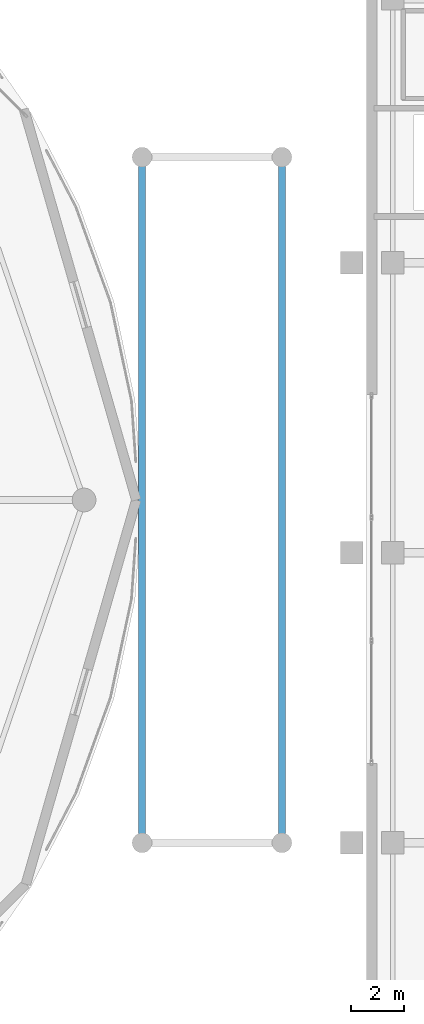
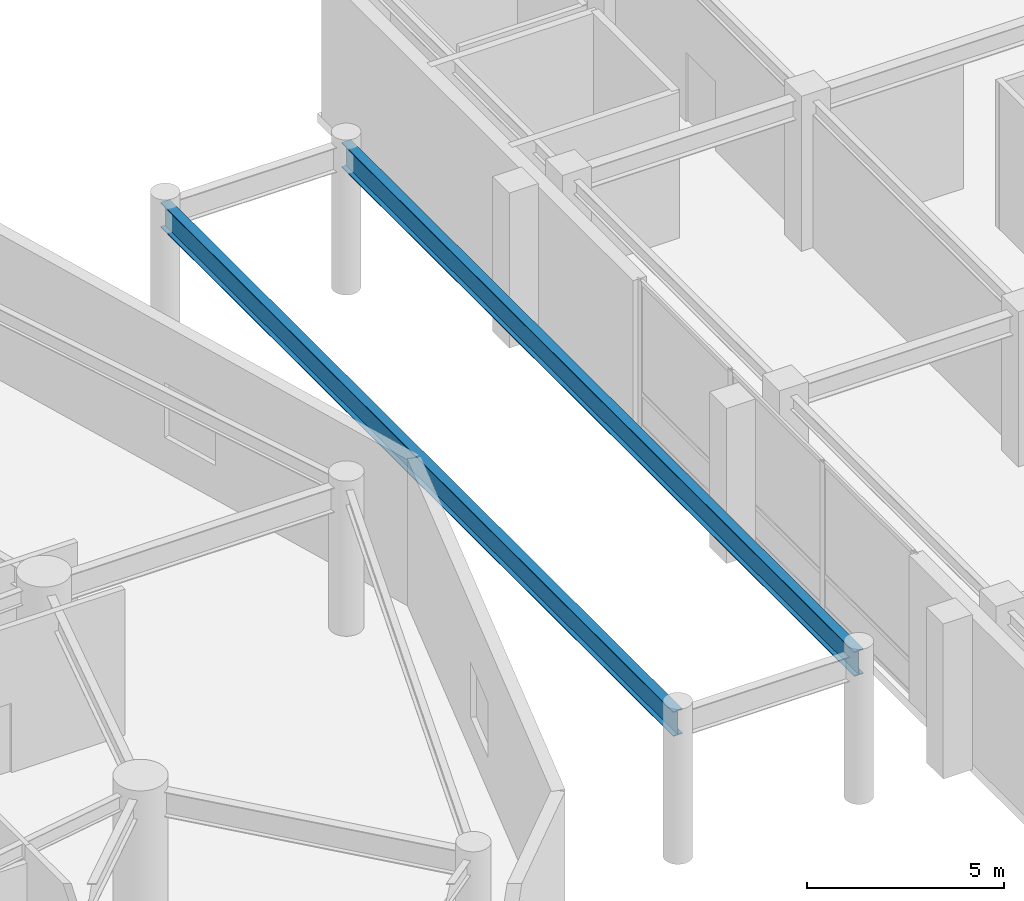
# One storey, part 17 of 40: 2 beams.
"""IFC4 building model written with IfcOpenShell, lengths in metres."""

import ifcopenshell
import ifcopenshell.guid

model = None  # the IFC model being written
_history = None  # IfcOwnerHistory: only IFC2X3 demands one
_inside = {}  # id of a spatial element -> (the spatial element, [elements in it])
_under = {}  # id of a project, library or spatial element -> (it, [spatial elements below it])
_declared = {}  # id of a project -> (the project, [libraries it declares])
_typed = {}  # id of a type object -> (the type object, [elements of that type])
_made_of = {}  # id of a material, layer set ... -> (it, [elements and type objects made of it])


def new_model(schema):
    """Start an empty IFC model of exactly this schema.

    Asked for "IFC4X3", IfcOpenShell would pick the latest addendum, in which some entities
    have other attributes; the version numbers below select the first issue.
    IFC2X3 requires an IfcOwnerHistory on every rooted entity: one is made here for all.
    """
    global model, _history
    if schema == "IFC4X3":
        model = ifcopenshell.file(schema_version=(4, 3, 0, 0))
    else:
        model = ifcopenshell.file(schema=schema)
    _inside.clear()
    _under.clear()
    _declared.clear()
    _typed.clear()
    _made_of.clear()
    _history = None
    if model.schema == "IFC2X3":
        org = make("IfcOrganization", Name="unknown")
        user = make(
            "IfcPersonAndOrganization",
            ThePerson=make("IfcPerson", FamilyName="unknown"),
            TheOrganization=org,
        )
        app = make(
            "IfcApplication",
            ApplicationDeveloper=org,
            Version="unknown",
            ApplicationFullName="unknown",
            ApplicationIdentifier="unknown",
        )
        _history = make(
            "IfcOwnerHistory",
            OwningUser=user,
            OwningApplication=app,
            ChangeAction="ADDED",
            CreationDate=0,
        )
    return model


def make(cls, **values):
    """One entity of the class cls with the attributes given. An attribute that is None is left unset."""
    return model.create_entity(
        cls, **{name: value for name, value in values.items() if value is not None}
    )


def rooted(cls, **values):
    """An entity with a GlobalId (a new one), such as an element, a storey or a relation."""
    return make(cls, GlobalId=ifcopenshell.guid.new(), OwnerHistory=_history, **values)


def si_unit(unit_type, name, prefix=None):
    """IfcSIUnit, for example si_unit("LENGTHUNIT", "METRE", prefix="MILLI")."""
    return make("IfcSIUnit", UnitType=unit_type, Prefix=prefix, Name=name)


def assignment(units):
    """IfcUnitAssignment: the units of a project."""
    return None if units is None else make("IfcUnitAssignment", Units=units)


def point(xyz):
    """IfcCartesianPoint."""
    return None if xyz is None else make("IfcCartesianPoint", Coordinates=xyz)


def direction(xyz):
    """IfcDirection."""
    return None if xyz is None else make("IfcDirection", DirectionRatios=xyz)


def frame(location, z_axis=None, x_axis=None):
    """IfcAxis2Placement3D, a coordinate frame: its origin and axes. An axis left out is left unset."""
    return make(
        "IfcAxis2Placement3D",
        Location=point(location),
        Axis=direction(z_axis),
        RefDirection=direction(x_axis),
    )


def frame_2d(location, x_axis=None):
    """IfcAxis2Placement2D, a coordinate frame in the plane: its origin and x axis."""
    return make(
        "IfcAxis2Placement2D", Location=point(location), RefDirection=direction(x_axis)
    )


def origin():
    """The frame at (0, 0, 0) with its axes left unset."""
    return frame((0.0, 0.0, 0.0))


def origin_2d():
    """The frame at (0, 0) in the plane with its x axis left unset."""
    return frame_2d((0.0, 0.0))


def place(relative_to, where):
    """IfcLocalPlacement: puts the frame where relative to a parent placement (None: the world)."""
    return make(
        "IfcLocalPlacement", PlacementRelTo=relative_to, RelativePlacement=where
    )


def context(
    kind, dimensions, precision=None, world=None, true_north=None, identifier=None
):
    """IfcGeometricRepresentationContext, for example the 3D "Model" context."""
    return make(
        "IfcGeometricRepresentationContext",
        ContextIdentifier=identifier,
        ContextType=kind,
        CoordinateSpaceDimension=dimensions,
        Precision=precision,
        WorldCoordinateSystem=world,
        TrueNorth=true_north,
    )


def subcontext(parent, identifier, kind, view, scale=None):
    """IfcGeometricRepresentationSubContext, for example "Body" below "Model"."""
    return make(
        "IfcGeometricRepresentationSubContext",
        ContextIdentifier=identifier,
        ContextType=kind,
        ParentContext=parent,
        TargetScale=scale,
        TargetView=view,
    )


def project(units=None, contexts=None):
    """IfcProject with its units and contexts."""
    return rooted(
        "IfcProject",
        Name="project",
        RepresentationContexts=contexts,
        UnitsInContext=assignment(units),
    )


def spatial(cls, under=None, at=None, **own):
    """A site, building, storey or space (cls), placed at a placement, below another one or the project."""
    s = rooted(cls, ObjectPlacement=at, **own)
    if under is not None:
        _under.setdefault(under.id(), (under, []))[1].append(s)
    return s


def profile(cls, at=None, kind="AREA", **sizes):
    """A parametric profile (cls). Its sizes go by their IFC names, for example OverallWidth=200.0."""
    return make(cls, ProfileType=kind, Position=at, **sizes)


def i_section(**sizes):
    """IfcIShapeProfileDef."""
    return profile("IfcIShapeProfileDef", **sizes)


def extrude(swept, where, along, depth):
    """IfcExtrudedAreaSolid: the profile swept, set in the frame where, extruded along a direction by depth."""
    return make(
        "IfcExtrudedAreaSolid",
        SweptArea=swept,
        Position=where,
        ExtrudedDirection=direction(along),
        Depth=depth,
    )


def shape(context_of_items, identifier, shape_type, items):
    """IfcShapeRepresentation: the items that make up one representation, for example the "Body"."""
    return make(
        "IfcShapeRepresentation",
        ContextOfItems=context_of_items,
        RepresentationIdentifier=identifier,
        RepresentationType=shape_type,
        Items=items,
    )


def material(Name=None, Category=None):
    """IfcMaterial."""
    return make("IfcMaterial", Name=Name, Category=Category)


def material_profile(
    of_material, cross_section, Name=None, Category=None, Priority=None
):
    """IfcMaterialProfile: a cross section and its material."""
    return make(
        "IfcMaterialProfile",
        Name=Name,
        Material=of_material,
        Profile=cross_section,
        Priority=Priority,
        Category=Category,
    )


def profile_set(profiles, Name=None, composite=None):
    """IfcMaterialProfileSet."""
    return make(
        "IfcMaterialProfileSet",
        Name=Name,
        MaterialProfiles=profiles,
        CompositeProfile=composite,
    )


def made_of(thing, what):
    """Note that an element or type object is made of a material, layer set ...; save() writes the relation."""
    if what is not None:
        _made_of.setdefault(what.id(), (what, []))[1].append(thing)
    return thing


def type_object(cls, material=None, **own):
    """A type object (cls), such as IfcWallType, which elements share."""
    return made_of(rooted(cls, **own), material)


def element(
    cls,
    number,
    at=None,
    inside=None,
    cuts=None,
    type_object=None,
    material=None,
    context=None,
    identifier="Body",
    shape_type=None,
    held_by="IfcProductDefinitionShape",
    body=None,
    shapes=None,
    **own,
):
    """One element of the class cls, such as IfcWall. Its Tag is "e" and its number.

    at: its placement. inside: the storey or other place that contains it. cuts: it is an
    opening in that element (IfcRelVoidsElement). A single representation is given by context,
    identifier, shape_type and body (its items); several are given by shapes. held_by: the class
    of the entity that holds the representations. save() writes the other relations.
    """
    e = rooted(cls, Tag="e%d" % number, ObjectPlacement=at, **own)
    if body is not None:
        shapes = [shape(context, identifier, shape_type, body)]
    if shapes is not None:
        e.Representation = make(held_by, Representations=shapes)
    if inside is not None:
        _inside.setdefault(inside.id(), (inside, []))[1].append(e)
    if cuts is not None:
        rooted(
            "IfcRelVoidsElement", RelatingBuildingElement=cuts, RelatedOpeningElement=e
        )
    if type_object is not None:
        _typed.setdefault(type_object.id(), (type_object, []))[1].append(e)
    return made_of(e, material)


def aggregate(whole, parts):
    """IfcRelAggregates: a whole, such as a stair, and the parts it consists of."""
    return rooted("IfcRelAggregates", RelatingObject=whole, RelatedObjects=parts)


def save(model, path):
    """Write the relations noted so far, then the file.

    IfcRelAggregates (storeys below a building ...), IfcRelContainedInSpatialStructure (elements
    in a storey), IfcRelDefinesByType, IfcRelAssociatesMaterial and IfcRelDeclares: one each for
    every whole, place, type object, material and project.
    """
    for whole, parts in _under.values():
        aggregate(whole, parts)
    for where, things in _inside.values():
        rooted(
            "IfcRelContainedInSpatialStructure",
            RelatedElements=things,
            RelatingStructure=where,
        )
    for kind, things in _typed.values():
        rooted("IfcRelDefinesByType", RelatedObjects=things, RelatingType=kind)
    for what, things in _made_of.values():
        rooted("IfcRelAssociatesMaterial", RelatedObjects=things, RelatingMaterial=what)
    for by, libraries in _declared.values():
        rooted("IfcRelDeclares", RelatingContext=by, RelatedDefinitions=libraries)
    model.write(path)


model = new_model("IFC4")

# Units and contexts
model_context = context("Model", 3, precision=1e-05, world=origin(), true_north=direction((0.0, 1.0)))
body_context = subcontext(model_context, "Body", "Model", "MODEL_VIEW")
ifc_project = project(units=[si_unit("LENGTHUNIT", "METRE"), si_unit("AREAUNIT", "SQUARE_METRE"), si_unit("VOLUMEUNIT", "CUBIC_METRE"), si_unit("PLANEANGLEUNIT", "RADIAN"), si_unit("MASSUNIT", "GRAM", prefix="KILO")], contexts=[model_context])

# Site, building, storey
site_placement = place(None, origin())
site = spatial("IfcSite", under=ifc_project, at=site_placement, CompositionType="ELEMENT")
building_placement = place(site_placement, origin())
building = spatial("IfcBuilding", under=site, at=building_placement, Name="Kazevale Care Tower and Concert Hall", CompositionType="ELEMENT")
storey_placement = place(building_placement, frame((0.0, 0.0, 4.800048828125)))
storey = spatial("IfcBuildingStorey", under=building, at=storey_placement, Name="L01", CompositionType="ELEMENT", Elevation=4.800048828125)

# Beams
ifc_material = material(Name="Steel ASTM A572 Gr 50", Category="steel")
ifc_material_profile = material_profile(ifc_material, i_section(OverallWidth=0.26806640625, OverallDepth=0.77001953125, WebThickness=0.015625, FlangeThickness=0.025390625, at=origin_2d()), Name="W760x196")
ifc_profile_set = profile_set([ifc_material_profile], Name="Steel ASTM A572 Gr 50")
beam_type = type_object("IfcBeamType", Name="Podium Primary Girder W760x196", PredefinedType="BEAM", material=ifc_profile_set)
for number, where, z_axis, x_axis, name in (
    (1, (92.800048828125, 25.0, 4.125), (0.0, 1.0, 0.0), (-1.0, 0.0, 0.0), "beam:L01:gbox:2"),
    (2, (87.5, 51.0, 4.125), (0.0, -1.0, 0.0), (1.0, 0.0, 0.0), "beam:L01:gbox:4"),
):
    element("IfcBeam", number, at=place(storey_placement, frame(where, z_axis=z_axis, x_axis=x_axis)), inside=storey, type_object=beam_type, Name=name, PredefinedType="BEAM", context=body_context, shape_type="SweptSolid", body=[
        extrude(i_section(OverallWidth=0.26806640625, OverallDepth=0.77001953125, WebThickness=0.015625, FlangeThickness=0.025390625, at=origin_2d()), origin(), (0.0, 0.0, 1.0), 26.0),
    ])

save(model, "model.ifc")
